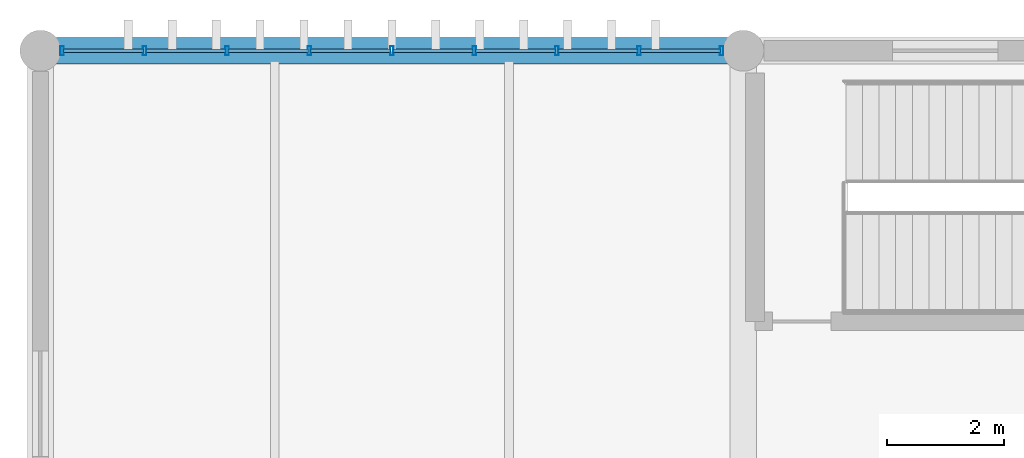
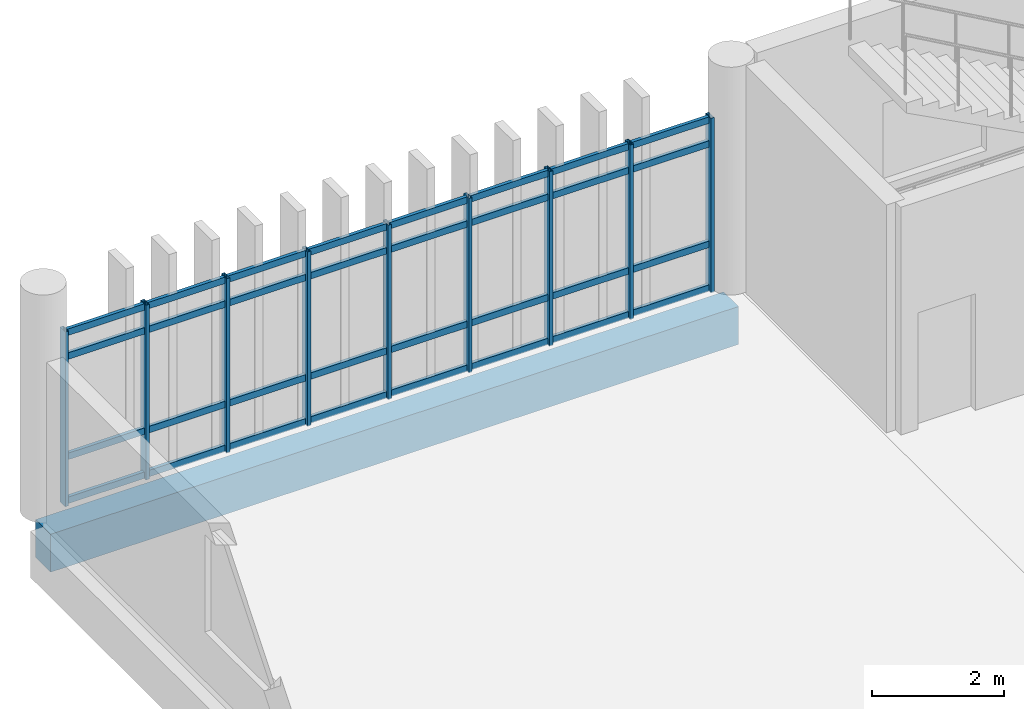
# One storey, part 11 of 29: 41 members, 1 beam, 1 element without a shape of its own.
"""IFC4 building model written with IfcOpenShell, lengths in metres."""

from ifc_helpers import new_model, si_unit, direction, frame, origin, origin_2d, place, context, subcontext, project, spatial, rectangle, hollow_rectangle, extrude, material, layer, layer_set, material_profile, profile_set, type_object, element, aggregate, save


model = new_model("IFC4")

# Units and contexts
model_context = context("Model", 3, precision=1e-05, world=origin(), true_north=direction((0.0, 1.0)))
body_context = subcontext(model_context, "Body", "Model", "MODEL_VIEW")
ifc_project = project(units=[si_unit("LENGTHUNIT", "METRE"), si_unit("AREAUNIT", "SQUARE_METRE"), si_unit("VOLUMEUNIT", "CUBIC_METRE"), si_unit("PLANEANGLEUNIT", "RADIAN"), si_unit("MASSUNIT", "GRAM", prefix="KILO")], contexts=[model_context])

# Site, building, storey
site_placement = place(None, origin())
site = spatial("IfcSite", under=ifc_project, at=site_placement, CompositionType="ELEMENT")
building_placement = place(site_placement, origin())
building = spatial("IfcBuilding", under=site, at=building_placement, Name="Mersad Railyard Sports Hall", CompositionType="ELEMENT")
storey_placement = place(building_placement, frame((0.0, 0.0, 17.39990234375)))
storey = spatial("IfcBuildingStorey", under=building, at=storey_placement, Name="L04", CompositionType="ELEMENT", Elevation=17.39990234375)

# Curtain wall, members
ifc_material_1 = material(Name="Aluminium 6063-T6", Category="aluminium")
ifc_layer = layer(ifc_material_1, 0.159912109375)
ifc_layer_set = layer_set([ifc_layer], Name="Aluminium 6063-T6")
curtain_wall_type = type_object("IfcCurtainWallType", Name="ARC-CW-CW62", PredefinedType="USERDEFINED", material=ifc_layer_set)
curtain_wall_placement = place(storey_placement, origin())
curtain_wall = element("IfcCurtainWall", 1, at=curtain_wall_placement, inside=storey, type_object=curtain_wall_type, Name="Curtain wall CW62-0162", ObjectType="CURTAIN WALL", PredefinedType="USERDEFINED")
ifc_material_profile_1 = material_profile(ifc_material_1, hollow_rectangle(XDim=0.06005859375, YDim=0.159912109375, WallThickness=0.00390625, at=origin_2d()), Name="AL MULLION 60x160x4")
ifc_profile_set_1 = profile_set([ifc_material_profile_1], Name="Aluminium 6063-T6")
member_type_1 = type_object("IfcMemberType", Name="ARC-CW-MUL01", PredefinedType="MULLION", material=ifc_profile_set_1)
member_1_placement = place(storey_placement, frame((55.3701171875, 115.0, -0.02001953125), z_axis=(0.0, 0.0, 1.0), x_axis=(1.0, 0.0, 0.0)))
member_1 = element("IfcMember", 2, at=member_1_placement, type_object=member_type_1, Name="CW62 Mullion 1", PredefinedType="MULLION", context=body_context, shape_type="SweptSolid", body=[
    extrude(hollow_rectangle(XDim=0.06005859375, YDim=0.159912109375, WallThickness=0.00390625, at=origin_2d()), origin(), (0.0, 0.0, 1.0), 3.22021484375),
])
member_2_placement = place(storey_placement, frame((56.777587890625, 115.0, -0.02001953125), z_axis=(0.0, 0.0, 1.0), x_axis=(1.0, 0.0, 0.0)))
member_2 = element("IfcMember", 3, at=member_2_placement, type_object=member_type_1, Name="CW62 Mullion 2", PredefinedType="MULLION", context=body_context, shape_type="SweptSolid", body=[
    extrude(hollow_rectangle(XDim=0.06005859375, YDim=0.159912109375, WallThickness=0.00390625, at=origin_2d()), origin(), (0.0, 0.0, 1.0), 3.22021484375),
])
member_3_placement = place(storey_placement, frame((58.18505859375, 115.0, -0.02001953125), z_axis=(0.0, 0.0, 1.0), x_axis=(1.0, 0.0, 0.0)))
member_3 = element("IfcMember", 4, at=member_3_placement, type_object=member_type_1, Name="CW62 Mullion 3", PredefinedType="MULLION", context=body_context, shape_type="SweptSolid", body=[
    extrude(hollow_rectangle(XDim=0.06005859375, YDim=0.159912109375, WallThickness=0.00390625, at=origin_2d()), origin(), (0.0, 0.0, 1.0), 3.22021484375),
])
member_4_placement = place(storey_placement, frame((59.592529296875, 115.0, -0.02001953125), z_axis=(0.0, 0.0, 1.0), x_axis=(1.0, 0.0, 0.0)))
member_4 = element("IfcMember", 5, at=member_4_placement, type_object=member_type_1, Name="CW62 Mullion 4", PredefinedType="MULLION", context=body_context, shape_type="SweptSolid", body=[
    extrude(hollow_rectangle(XDim=0.06005859375, YDim=0.159912109375, WallThickness=0.00390625, at=origin_2d()), origin(), (0.0, 0.0, 1.0), 3.22021484375),
])
member_5_placement = place(storey_placement, frame((61.0, 115.0, -0.02001953125), z_axis=(0.0, 0.0, 1.0), x_axis=(1.0, 0.0, 0.0)))
member_5 = element("IfcMember", 6, at=member_5_placement, type_object=member_type_1, Name="CW62 Mullion 5", PredefinedType="MULLION", context=body_context, shape_type="SweptSolid", body=[
    extrude(hollow_rectangle(XDim=0.06005859375, YDim=0.159912109375, WallThickness=0.00390625, at=origin_2d()), origin(), (0.0, 0.0, 1.0), 3.22021484375),
])
member_6_placement = place(storey_placement, frame((62.407470703125, 115.0, -0.02001953125), z_axis=(0.0, 0.0, 1.0), x_axis=(1.0, 0.0, 0.0)))
member_6 = element("IfcMember", 7, at=member_6_placement, type_object=member_type_1, Name="CW62 Mullion 6", PredefinedType="MULLION", context=body_context, shape_type="SweptSolid", body=[
    extrude(hollow_rectangle(XDim=0.06005859375, YDim=0.159912109375, WallThickness=0.00390625, at=origin_2d()), origin(), (0.0, 0.0, 1.0), 3.22021484375),
])
member_7_placement = place(storey_placement, frame((63.81494140625, 115.0, -0.02001953125), z_axis=(0.0, 0.0, 1.0), x_axis=(1.0, 0.0, 0.0)))
member_7 = element("IfcMember", 8, at=member_7_placement, type_object=member_type_1, Name="CW62 Mullion 7", PredefinedType="MULLION", context=body_context, shape_type="SweptSolid", body=[
    extrude(hollow_rectangle(XDim=0.06005859375, YDim=0.159912109375, WallThickness=0.00390625, at=origin_2d()), origin(), (0.0, 0.0, 1.0), 3.22021484375),
])
member_8_placement = place(storey_placement, frame((65.222412109375, 115.0, -0.02001953125), z_axis=(0.0, 0.0, 1.0), x_axis=(1.0, 0.0, 0.0)))
member_8 = element("IfcMember", 9, at=member_8_placement, type_object=member_type_1, Name="CW62 Mullion 8", PredefinedType="MULLION", context=body_context, shape_type="SweptSolid", body=[
    extrude(hollow_rectangle(XDim=0.06005859375, YDim=0.159912109375, WallThickness=0.00390625, at=origin_2d()), origin(), (0.0, 0.0, 1.0), 3.22021484375),
])
member_9_placement = place(storey_placement, frame((66.6298828125, 115.0, -0.02001953125), z_axis=(0.0, 0.0, 1.0), x_axis=(1.0, 0.0, 0.0)))
member_9 = element("IfcMember", 10, at=member_9_placement, type_object=member_type_1, Name="CW62 Mullion 9", PredefinedType="MULLION", context=body_context, shape_type="SweptSolid", body=[
    extrude(hollow_rectangle(XDim=0.06005859375, YDim=0.159912109375, WallThickness=0.00390625, at=origin_2d()), origin(), (0.0, 0.0, 1.0), 3.22021484375),
])
ifc_material_profile_2 = material_profile(ifc_material_1, hollow_rectangle(XDim=0.06005859375, YDim=0.1201171875, WallThickness=0.00390625, at=origin_2d()), Name="AL TRANSOM 60x120x4")
ifc_profile_set_2 = profile_set([ifc_material_profile_2], Name="Aluminium 6063-T6")
member_type_2 = type_object("IfcMemberType", Name="ARC-CW-TRN01", PredefinedType="USERDEFINED", material=ifc_profile_set_2)
member_10_placement = place(storey_placement, frame((55.389892578125, 115.0, 0.0400390625), z_axis=(1.0, 0.0, 0.0), x_axis=(0.0, 1.0, 0.0)))
member_10 = element("IfcMember", 11, at=member_10_placement, type_object=member_type_2, Name="CW62 Transom 1-1", ObjectType="TRANSOM", PredefinedType="USERDEFINED", context=body_context, shape_type="SweptSolid", body=[
    extrude(hollow_rectangle(XDim=0.06005859375, YDim=0.1201171875, WallThickness=0.00390625, at=origin_2d()), origin(), (0.0, 0.0, 1.0), 1.36767578125),
])
member_11_placement = place(storey_placement, frame((56.797607421875, 115.0, 0.0400390625), z_axis=(1.0, 0.0, 0.0), x_axis=(0.0, 1.0, 0.0)))
member_11 = element("IfcMember", 12, at=member_11_placement, type_object=member_type_2, Name="CW62 Transom 1-2", ObjectType="TRANSOM", PredefinedType="USERDEFINED", context=body_context, shape_type="SweptSolid", body=[
    extrude(hollow_rectangle(XDim=0.06005859375, YDim=0.1201171875, WallThickness=0.00390625, at=origin_2d()), origin(), (0.0, 0.0, 1.0), 1.367431640625),
])
member_12_placement = place(storey_placement, frame((58.205078125, 115.0, 0.0400390625), z_axis=(1.0, 0.0, 0.0), x_axis=(0.0, 1.0, 0.0)))
member_12 = element("IfcMember", 13, at=member_12_placement, type_object=member_type_2, Name="CW62 Transom 1-3", ObjectType="TRANSOM", PredefinedType="USERDEFINED", context=body_context, shape_type="SweptSolid", body=[
    extrude(hollow_rectangle(XDim=0.06005859375, YDim=0.1201171875, WallThickness=0.00390625, at=origin_2d()), origin(), (0.0, 0.0, 1.0), 1.367431640625),
])
member_13_placement = place(storey_placement, frame((59.612548828125, 115.0, 0.0400390625), z_axis=(1.0, 0.0, 0.0), x_axis=(0.0, 1.0, 0.0)))
member_13 = element("IfcMember", 14, at=member_13_placement, type_object=member_type_2, Name="CW62 Transom 1-4", ObjectType="TRANSOM", PredefinedType="USERDEFINED", context=body_context, shape_type="SweptSolid", body=[
    extrude(hollow_rectangle(XDim=0.06005859375, YDim=0.1201171875, WallThickness=0.00390625, at=origin_2d()), origin(), (0.0, 0.0, 1.0), 1.367431640625),
])
member_14_placement = place(storey_placement, frame((61.02001953125, 115.0, 0.0400390625), z_axis=(1.0, 0.0, 0.0), x_axis=(0.0, 1.0, 0.0)))
member_14 = element("IfcMember", 15, at=member_14_placement, type_object=member_type_2, Name="CW62 Transom 1-5", ObjectType="TRANSOM", PredefinedType="USERDEFINED", context=body_context, shape_type="SweptSolid", body=[
    extrude(hollow_rectangle(XDim=0.06005859375, YDim=0.1201171875, WallThickness=0.00390625, at=origin_2d()), origin(), (0.0, 0.0, 1.0), 1.367431640625),
])
member_15_placement = place(storey_placement, frame((62.427490234375, 115.0, 0.0400390625), z_axis=(1.0, 0.0, 0.0), x_axis=(0.0, 1.0, 0.0)))
member_15 = element("IfcMember", 16, at=member_15_placement, type_object=member_type_2, Name="CW62 Transom 1-6", ObjectType="TRANSOM", PredefinedType="USERDEFINED", context=body_context, shape_type="SweptSolid", body=[
    extrude(hollow_rectangle(XDim=0.06005859375, YDim=0.1201171875, WallThickness=0.00390625, at=origin_2d()), origin(), (0.0, 0.0, 1.0), 1.367431640625),
])
member_16_placement = place(storey_placement, frame((63.8349609375, 115.0, 0.0400390625), z_axis=(1.0, 0.0, 0.0), x_axis=(0.0, 1.0, 0.0)))
member_16 = element("IfcMember", 17, at=member_16_placement, type_object=member_type_2, Name="CW62 Transom 1-7", ObjectType="TRANSOM", PredefinedType="USERDEFINED", context=body_context, shape_type="SweptSolid", body=[
    extrude(hollow_rectangle(XDim=0.06005859375, YDim=0.1201171875, WallThickness=0.00390625, at=origin_2d()), origin(), (0.0, 0.0, 1.0), 1.367431640625),
])
member_17_placement = place(storey_placement, frame((65.242431640625, 115.0, 0.0400390625), z_axis=(1.0, 0.0, 0.0), x_axis=(0.0, 1.0, 0.0)))
member_17 = element("IfcMember", 18, at=member_17_placement, type_object=member_type_2, Name="CW62 Transom 1-8", ObjectType="TRANSOM", PredefinedType="USERDEFINED", context=body_context, shape_type="SweptSolid", body=[
    extrude(hollow_rectangle(XDim=0.06005859375, YDim=0.1201171875, WallThickness=0.00390625, at=origin_2d()), origin(), (0.0, 0.0, 1.0), 1.36767578125),
])
member_18_placement = place(storey_placement, frame((55.389892578125, 115.0, 0.85009765625), z_axis=(1.0, 0.0, 0.0), x_axis=(0.0, 1.0, 0.0)))
member_18 = element("IfcMember", 19, at=member_18_placement, type_object=member_type_2, Name="CW62 Transom 2-1", ObjectType="TRANSOM", PredefinedType="USERDEFINED", context=body_context, shape_type="SweptSolid", body=[
    extrude(hollow_rectangle(XDim=0.06005859375, YDim=0.1201171875, WallThickness=0.00390625, at=origin_2d()), origin(), (0.0, 0.0, 1.0), 1.36767578125),
])
member_19_placement = place(storey_placement, frame((56.797607421875, 115.0, 0.85009765625), z_axis=(1.0, 0.0, 0.0), x_axis=(0.0, 1.0, 0.0)))
member_19 = element("IfcMember", 20, at=member_19_placement, type_object=member_type_2, Name="CW62 Transom 2-2", ObjectType="TRANSOM", PredefinedType="USERDEFINED", context=body_context, shape_type="SweptSolid", body=[
    extrude(hollow_rectangle(XDim=0.06005859375, YDim=0.1201171875, WallThickness=0.00390625, at=origin_2d()), origin(), (0.0, 0.0, 1.0), 1.367431640625),
])
member_20_placement = place(storey_placement, frame((58.205078125, 115.0, 0.85009765625), z_axis=(1.0, 0.0, 0.0), x_axis=(0.0, 1.0, 0.0)))
member_20 = element("IfcMember", 21, at=member_20_placement, type_object=member_type_2, Name="CW62 Transom 2-3", ObjectType="TRANSOM", PredefinedType="USERDEFINED", context=body_context, shape_type="SweptSolid", body=[
    extrude(hollow_rectangle(XDim=0.06005859375, YDim=0.1201171875, WallThickness=0.00390625, at=origin_2d()), origin(), (0.0, 0.0, 1.0), 1.367431640625),
])
member_21_placement = place(storey_placement, frame((59.612548828125, 115.0, 0.85009765625), z_axis=(1.0, 0.0, 0.0), x_axis=(0.0, 1.0, 0.0)))
member_21 = element("IfcMember", 22, at=member_21_placement, type_object=member_type_2, Name="CW62 Transom 2-4", ObjectType="TRANSOM", PredefinedType="USERDEFINED", context=body_context, shape_type="SweptSolid", body=[
    extrude(hollow_rectangle(XDim=0.06005859375, YDim=0.1201171875, WallThickness=0.00390625, at=origin_2d()), origin(), (0.0, 0.0, 1.0), 1.367431640625),
])
member_22_placement = place(storey_placement, frame((61.02001953125, 115.0, 0.85009765625), z_axis=(1.0, 0.0, 0.0), x_axis=(0.0, 1.0, 0.0)))
member_22 = element("IfcMember", 23, at=member_22_placement, type_object=member_type_2, Name="CW62 Transom 2-5", ObjectType="TRANSOM", PredefinedType="USERDEFINED", context=body_context, shape_type="SweptSolid", body=[
    extrude(hollow_rectangle(XDim=0.06005859375, YDim=0.1201171875, WallThickness=0.00390625, at=origin_2d()), origin(), (0.0, 0.0, 1.0), 1.367431640625),
])
member_23_placement = place(storey_placement, frame((62.427490234375, 115.0, 0.85009765625), z_axis=(1.0, 0.0, 0.0), x_axis=(0.0, 1.0, 0.0)))
member_23 = element("IfcMember", 24, at=member_23_placement, type_object=member_type_2, Name="CW62 Transom 2-6", ObjectType="TRANSOM", PredefinedType="USERDEFINED", context=body_context, shape_type="SweptSolid", body=[
    extrude(hollow_rectangle(XDim=0.06005859375, YDim=0.1201171875, WallThickness=0.00390625, at=origin_2d()), origin(), (0.0, 0.0, 1.0), 1.367431640625),
])
member_24_placement = place(storey_placement, frame((63.8349609375, 115.0, 0.85009765625), z_axis=(1.0, 0.0, 0.0), x_axis=(0.0, 1.0, 0.0)))
member_24 = element("IfcMember", 25, at=member_24_placement, type_object=member_type_2, Name="CW62 Transom 2-7", ObjectType="TRANSOM", PredefinedType="USERDEFINED", context=body_context, shape_type="SweptSolid", body=[
    extrude(hollow_rectangle(XDim=0.06005859375, YDim=0.1201171875, WallThickness=0.00390625, at=origin_2d()), origin(), (0.0, 0.0, 1.0), 1.367431640625),
])
member_25_placement = place(storey_placement, frame((65.242431640625, 115.0, 0.85009765625), z_axis=(1.0, 0.0, 0.0), x_axis=(0.0, 1.0, 0.0)))
member_25 = element("IfcMember", 26, at=member_25_placement, type_object=member_type_2, Name="CW62 Transom 2-8", ObjectType="TRANSOM", PredefinedType="USERDEFINED", context=body_context, shape_type="SweptSolid", body=[
    extrude(hollow_rectangle(XDim=0.06005859375, YDim=0.1201171875, WallThickness=0.00390625, at=origin_2d()), origin(), (0.0, 0.0, 1.0), 1.36767578125),
])
member_26_placement = place(storey_placement, frame((55.389892578125, 115.0, 2.7001953125), z_axis=(1.0, 0.0, 0.0), x_axis=(0.0, 1.0, 0.0)))
member_26 = element("IfcMember", 27, at=member_26_placement, type_object=member_type_2, Name="CW62 Transom 3-1", ObjectType="TRANSOM", PredefinedType="USERDEFINED", context=body_context, shape_type="SweptSolid", body=[
    extrude(hollow_rectangle(XDim=0.06005859375, YDim=0.1201171875, WallThickness=0.00390625, at=origin_2d()), origin(), (0.0, 0.0, 1.0), 1.36767578125),
])
member_27_placement = place(storey_placement, frame((56.797607421875, 115.0, 2.7001953125), z_axis=(1.0, 0.0, 0.0), x_axis=(0.0, 1.0, 0.0)))
member_27 = element("IfcMember", 28, at=member_27_placement, type_object=member_type_2, Name="CW62 Transom 3-2", ObjectType="TRANSOM", PredefinedType="USERDEFINED", context=body_context, shape_type="SweptSolid", body=[
    extrude(hollow_rectangle(XDim=0.06005859375, YDim=0.1201171875, WallThickness=0.00390625, at=origin_2d()), origin(), (0.0, 0.0, 1.0), 1.367431640625),
])
member_28_placement = place(storey_placement, frame((58.205078125, 115.0, 2.7001953125), z_axis=(1.0, 0.0, 0.0), x_axis=(0.0, 1.0, 0.0)))
member_28 = element("IfcMember", 29, at=member_28_placement, type_object=member_type_2, Name="CW62 Transom 3-3", ObjectType="TRANSOM", PredefinedType="USERDEFINED", context=body_context, shape_type="SweptSolid", body=[
    extrude(hollow_rectangle(XDim=0.06005859375, YDim=0.1201171875, WallThickness=0.00390625, at=origin_2d()), origin(), (0.0, 0.0, 1.0), 1.367431640625),
])
member_29_placement = place(storey_placement, frame((59.612548828125, 115.0, 2.7001953125), z_axis=(1.0, 0.0, 0.0), x_axis=(0.0, 1.0, 0.0)))
member_29 = element("IfcMember", 30, at=member_29_placement, type_object=member_type_2, Name="CW62 Transom 3-4", ObjectType="TRANSOM", PredefinedType="USERDEFINED", context=body_context, shape_type="SweptSolid", body=[
    extrude(hollow_rectangle(XDim=0.06005859375, YDim=0.1201171875, WallThickness=0.00390625, at=origin_2d()), origin(), (0.0, 0.0, 1.0), 1.367431640625),
])
member_30_placement = place(storey_placement, frame((61.02001953125, 115.0, 2.7001953125), z_axis=(1.0, 0.0, 0.0), x_axis=(0.0, 1.0, 0.0)))
member_30 = element("IfcMember", 31, at=member_30_placement, type_object=member_type_2, Name="CW62 Transom 3-5", ObjectType="TRANSOM", PredefinedType="USERDEFINED", context=body_context, shape_type="SweptSolid", body=[
    extrude(hollow_rectangle(XDim=0.06005859375, YDim=0.1201171875, WallThickness=0.00390625, at=origin_2d()), origin(), (0.0, 0.0, 1.0), 1.367431640625),
])
member_31_placement = place(storey_placement, frame((62.427490234375, 115.0, 2.7001953125), z_axis=(1.0, 0.0, 0.0), x_axis=(0.0, 1.0, 0.0)))
member_31 = element("IfcMember", 32, at=member_31_placement, type_object=member_type_2, Name="CW62 Transom 3-6", ObjectType="TRANSOM", PredefinedType="USERDEFINED", context=body_context, shape_type="SweptSolid", body=[
    extrude(hollow_rectangle(XDim=0.06005859375, YDim=0.1201171875, WallThickness=0.00390625, at=origin_2d()), origin(), (0.0, 0.0, 1.0), 1.367431640625),
])
member_32_placement = place(storey_placement, frame((63.8349609375, 115.0, 2.7001953125), z_axis=(1.0, 0.0, 0.0), x_axis=(0.0, 1.0, 0.0)))
member_32 = element("IfcMember", 33, at=member_32_placement, type_object=member_type_2, Name="CW62 Transom 3-7", ObjectType="TRANSOM", PredefinedType="USERDEFINED", context=body_context, shape_type="SweptSolid", body=[
    extrude(hollow_rectangle(XDim=0.06005859375, YDim=0.1201171875, WallThickness=0.00390625, at=origin_2d()), origin(), (0.0, 0.0, 1.0), 1.367431640625),
])
member_33_placement = place(storey_placement, frame((65.242431640625, 115.0, 2.7001953125), z_axis=(1.0, 0.0, 0.0), x_axis=(0.0, 1.0, 0.0)))
member_33 = element("IfcMember", 34, at=member_33_placement, type_object=member_type_2, Name="CW62 Transom 3-8", ObjectType="TRANSOM", PredefinedType="USERDEFINED", context=body_context, shape_type="SweptSolid", body=[
    extrude(hollow_rectangle(XDim=0.06005859375, YDim=0.1201171875, WallThickness=0.00390625, at=origin_2d()), origin(), (0.0, 0.0, 1.0), 1.36767578125),
])
member_34_placement = place(storey_placement, frame((55.389892578125, 115.0, 3.14013671875), z_axis=(1.0, 0.0, 0.0), x_axis=(0.0, 1.0, 0.0)))
member_34 = element("IfcMember", 35, at=member_34_placement, type_object=member_type_2, Name="CW62 Transom 4-1", ObjectType="TRANSOM", PredefinedType="USERDEFINED", context=body_context, shape_type="SweptSolid", body=[
    extrude(hollow_rectangle(XDim=0.06005859375, YDim=0.1201171875, WallThickness=0.00390625, at=origin_2d()), origin(), (0.0, 0.0, 1.0), 1.36767578125),
])
member_35_placement = place(storey_placement, frame((56.797607421875, 115.0, 3.14013671875), z_axis=(1.0, 0.0, 0.0), x_axis=(0.0, 1.0, 0.0)))
member_35 = element("IfcMember", 36, at=member_35_placement, type_object=member_type_2, Name="CW62 Transom 4-2", ObjectType="TRANSOM", PredefinedType="USERDEFINED", context=body_context, shape_type="SweptSolid", body=[
    extrude(hollow_rectangle(XDim=0.06005859375, YDim=0.1201171875, WallThickness=0.00390625, at=origin_2d()), origin(), (0.0, 0.0, 1.0), 1.367431640625),
])
member_36_placement = place(storey_placement, frame((58.205078125, 115.0, 3.14013671875), z_axis=(1.0, 0.0, 0.0), x_axis=(0.0, 1.0, 0.0)))
member_36 = element("IfcMember", 37, at=member_36_placement, type_object=member_type_2, Name="CW62 Transom 4-3", ObjectType="TRANSOM", PredefinedType="USERDEFINED", context=body_context, shape_type="SweptSolid", body=[
    extrude(hollow_rectangle(XDim=0.06005859375, YDim=0.1201171875, WallThickness=0.00390625, at=origin_2d()), origin(), (0.0, 0.0, 1.0), 1.367431640625),
])
member_37_placement = place(storey_placement, frame((59.612548828125, 115.0, 3.14013671875), z_axis=(1.0, 0.0, 0.0), x_axis=(0.0, 1.0, 0.0)))
member_37 = element("IfcMember", 38, at=member_37_placement, type_object=member_type_2, Name="CW62 Transom 4-4", ObjectType="TRANSOM", PredefinedType="USERDEFINED", context=body_context, shape_type="SweptSolid", body=[
    extrude(hollow_rectangle(XDim=0.06005859375, YDim=0.1201171875, WallThickness=0.00390625, at=origin_2d()), origin(), (0.0, 0.0, 1.0), 1.367431640625),
])
member_38_placement = place(storey_placement, frame((61.02001953125, 115.0, 3.14013671875), z_axis=(1.0, 0.0, 0.0), x_axis=(0.0, 1.0, 0.0)))
member_38 = element("IfcMember", 39, at=member_38_placement, type_object=member_type_2, Name="CW62 Transom 4-5", ObjectType="TRANSOM", PredefinedType="USERDEFINED", context=body_context, shape_type="SweptSolid", body=[
    extrude(hollow_rectangle(XDim=0.06005859375, YDim=0.1201171875, WallThickness=0.00390625, at=origin_2d()), origin(), (0.0, 0.0, 1.0), 1.367431640625),
])
member_39_placement = place(storey_placement, frame((62.427490234375, 115.0, 3.14013671875), z_axis=(1.0, 0.0, 0.0), x_axis=(0.0, 1.0, 0.0)))
member_39 = element("IfcMember", 40, at=member_39_placement, type_object=member_type_2, Name="CW62 Transom 4-6", ObjectType="TRANSOM", PredefinedType="USERDEFINED", context=body_context, shape_type="SweptSolid", body=[
    extrude(hollow_rectangle(XDim=0.06005859375, YDim=0.1201171875, WallThickness=0.00390625, at=origin_2d()), origin(), (0.0, 0.0, 1.0), 1.367431640625),
])
member_40_placement = place(storey_placement, frame((63.8349609375, 115.0, 3.14013671875), z_axis=(1.0, 0.0, 0.0), x_axis=(0.0, 1.0, 0.0)))
member_40 = element("IfcMember", 41, at=member_40_placement, type_object=member_type_2, Name="CW62 Transom 4-7", ObjectType="TRANSOM", PredefinedType="USERDEFINED", context=body_context, shape_type="SweptSolid", body=[
    extrude(hollow_rectangle(XDim=0.06005859375, YDim=0.1201171875, WallThickness=0.00390625, at=origin_2d()), origin(), (0.0, 0.0, 1.0), 1.367431640625),
])
member_41_placement = place(storey_placement, frame((65.242431640625, 115.0, 3.14013671875), z_axis=(1.0, 0.0, 0.0), x_axis=(0.0, 1.0, 0.0)))
member_41 = element("IfcMember", 42, at=member_41_placement, type_object=member_type_2, Name="CW62 Transom 4-8", ObjectType="TRANSOM", PredefinedType="USERDEFINED", context=body_context, shape_type="SweptSolid", body=[
    extrude(hollow_rectangle(XDim=0.06005859375, YDim=0.1201171875, WallThickness=0.00390625, at=origin_2d()), origin(), (0.0, 0.0, 1.0), 1.36767578125),
])
aggregate(curtain_wall, [member_1, member_2, member_3, member_4, member_5, member_6, member_7, member_8, member_9, member_10, member_11, member_12, member_13, member_14, member_15, member_16, member_17, member_18, member_19, member_20, member_21, member_22, member_23, member_24, member_25, member_26, member_27, member_28, member_29, member_30, member_31, member_32, member_33, member_34, member_35, member_36, member_37, member_38, member_39, member_40, member_41])

# Beam
ifc_material_2 = material(Name="Architectural concrete C40/50", Category="concrete")
ifc_material_profile_3 = material_profile(ifc_material_2, rectangle(XDim=0.449951171875, YDim=0.699951171875, at=origin_2d()), Name="RC 450x700")
ifc_profile_set_3 = profile_set([ifc_material_profile_3], Name="Architectural concrete C40/50")
beam_type = type_object("IfcBeamType", Name="STR-BM-SP01", PredefinedType="SPANDREL", material=ifc_profile_set_3)
beam_placement = place(storey_placement, frame((55.0, 115.0, -0.669921875), z_axis=(1.0, 0.0, 0.0), x_axis=(0.0, 1.0, 0.0)))
element("IfcBeam", 43, at=beam_placement, inside=storey, type_object=beam_type, Name="Beam SP01-1335", PredefinedType="SPANDREL", context=body_context, shape_type="SweptSolid", body=[
    extrude(rectangle(XDim=0.449951171875, YDim=0.699951171875, at=origin_2d()), origin(), (0.0, 0.0, 1.0), 12.0),
])

save(model, "model.ifc")
